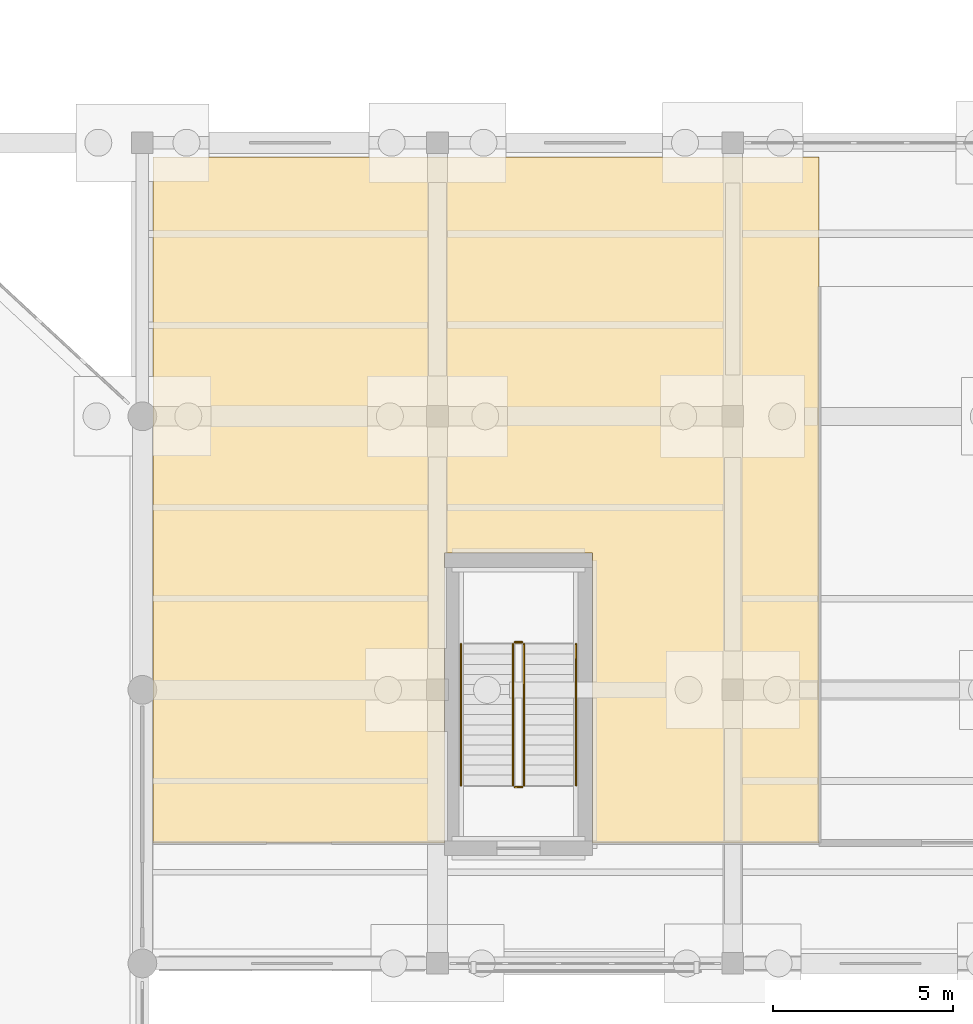
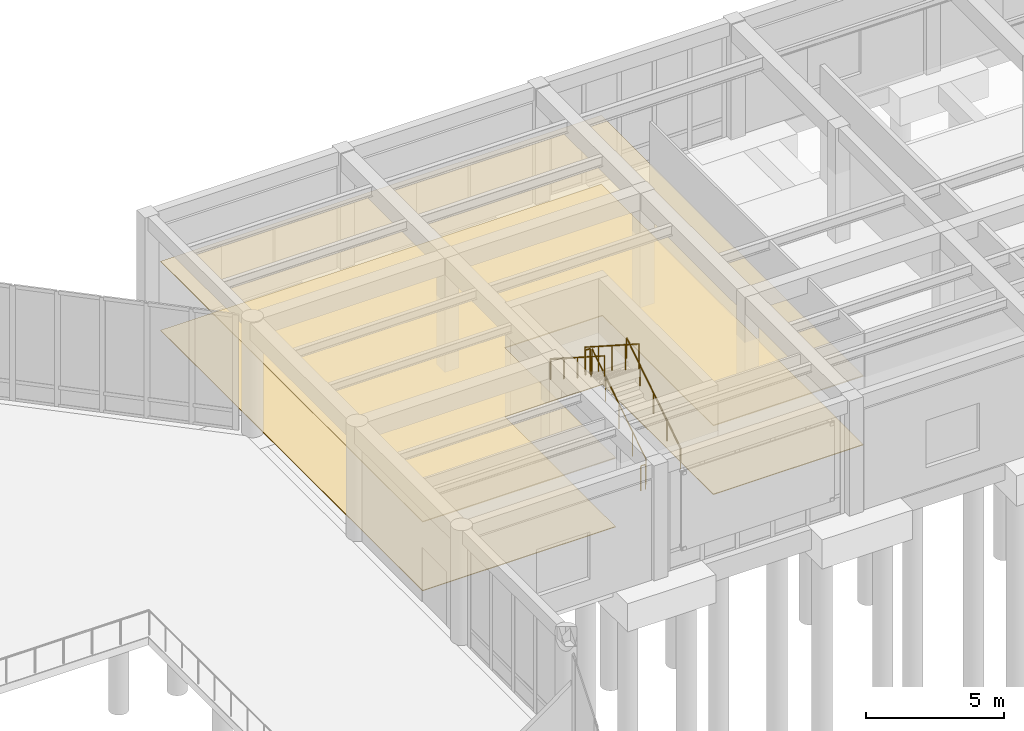
# One storey, part 58 of 64: 6 railings, 2 coverings.
"""IFC4 building model written with IfcOpenShell, lengths in metres."""

from ifc_helpers import new_model, si_unit, direction, frame, origin, origin_2d, place, context, subcontext, project, spatial, polyline, circle, outline, extrude, material, layer, layer_set, type_object, element, save


model = new_model("IFC4")

# Units and contexts
model_context = context("Model", 3, precision=1e-05, world=origin(), true_north=direction((0.0, 1.0)))
body_context = subcontext(model_context, "Body", "Model", "MODEL_VIEW")
ifc_project = project(units=[si_unit("LENGTHUNIT", "METRE"), si_unit("AREAUNIT", "SQUARE_METRE"), si_unit("VOLUMEUNIT", "CUBIC_METRE"), si_unit("PLANEANGLEUNIT", "RADIAN"), si_unit("MASSUNIT", "GRAM", prefix="KILO")], contexts=[model_context])

# Site, building, storey
site_placement = place(None, origin())
site = spatial("IfcSite", under=ifc_project, at=site_placement, CompositionType="ELEMENT")
building_placement = place(site_placement, origin())
building = spatial("IfcBuilding", under=site, at=building_placement, Name="Qandaris Square Conservatory and Botanical Centre", CompositionType="ELEMENT")
storey_placement = place(building_placement, origin())
storey = spatial("IfcBuildingStorey", under=building, at=storey_placement, Name="L00", CompositionType="ELEMENT", Elevation=0.0)

# Coverings
ifc_material_1 = material(Name="Honed Qatari Limestone", Category="masonry")
ifc_layer_1 = layer(ifc_material_1, 0.030029296875)
ifc_layer_set_1 = layer_set([ifc_layer_1], Name="Honed Qatari Limestone")
covering_type_1 = type_object("IfcCoveringType", Name="Honed Qatari Limestone Concourse Paving", PredefinedType="FLOORING", material=ifc_layer_set_1)
covering_1_placement = place(storey_placement, origin())
element("IfcCovering", 1, at=covering_1_placement, inside=storey, type_object=covering_type_1, Name="Shaded Court Botanical Cafe Flooring", PredefinedType="FLOORING", context=body_context, shape_type="SweptSolid", body=[
    extrude(outline(polyline([(57.5, 115.0), (76.0, 115.0), (76.0, 95.949951171875), (69.699951171875, 95.949951171875), (69.699951171875, 104.0), (65.60009765625, 104.0), (65.60009765625, 95.949951171875), (57.5, 95.949951171875), (57.5, 115.0)])), origin(), (0.0, 0.0, 1.0), 0.030029296875),
])
ifc_material_2 = material(Name="Engineered Oak Timber", Category="wood")
ifc_layer_2 = layer(ifc_material_2, 0.0400390625)
ifc_layer_set_2 = layer_set([ifc_layer_2], Name="Engineered Oak Timber")
covering_type_2 = type_object("IfcCoveringType", Name="Slatted Oak Acoustic Gallery Ceiling", PredefinedType="CEILING", material=ifc_layer_set_2)
covering_2_placement = place(storey_placement, frame((0.0, 0.0, 3.050048828125)))
element("IfcCovering", 2, at=covering_2_placement, inside=storey, type_object=covering_type_2, Name="Shaded Court Botanical Cafe Ceiling", PredefinedType="CEILING", context=body_context, shape_type="SweptSolid", body=[
    extrude(outline(polyline([(57.5, 115.0), (76.0, 115.0), (76.0, 95.949951171875), (69.699951171875, 95.949951171875), (69.699951171875, 104.0), (65.60009765625, 104.0), (65.60009765625, 95.949951171875), (57.5, 95.949951171875), (57.5, 115.0)])), origin(), (0.0, 0.0, 1.0), 0.0400390625),
])

# Railings
ifc_material_3 = material(Name="Stainless Steel", Category="steel")
railing_type_1 = type_object("IfcRailingType", Name="Stair Tubular Handrail 920mm", PredefinedType="HANDRAIL", material=ifc_material_3)
railing_1_placement = place(storey_placement, frame((69.25, 97.550048828125, 0.360107421875)))
element("IfcRailing", 3, at=railing_1_placement, inside=storey, type_object=railing_type_1, Name="L00 ST-6 stair handrail 1", PredefinedType="HANDRAIL", context=body_context, shape_type="SweptSolid", body=[
    extrude(circle(Radius=0.02392578125, at=origin_2d()), frame((0.0, 0.0, 0.89599609375), z_axis=(0.0, 0.84119549742, 0.540731111663), x_axis=(-1.0, 0.0, 0.0)), (0.0, 0.0, 1.0), 4.659912109375),
    extrude(circle(Radius=0.02099609375, at=origin_2d()), origin(), (0.0, 0.0, 1.0), 0.871826171875),
    extrude(circle(Radius=0.02099609375, at=origin_2d()), frame((0.0, 0.97998046875, 0.6298828125)), (0.0, 0.0, 1.0), 0.871826171875),
    extrude(circle(Radius=0.02099609375, at=origin_2d()), frame((0.0, 1.9599609375, 1.259765625)), (0.0, 0.0, 1.0), 0.871826171875),
    extrude(circle(Radius=0.02099609375, at=origin_2d()), frame((0.0, 2.93994140625, 1.889892578125)), (0.0, 0.0, 1.0), 0.871826171875),
    extrude(circle(Radius=0.02099609375, at=origin_2d()), frame((0.0, 3.919921875, 2.519775390625)), (0.0, 0.0, 1.0), 0.871826171875),
])
railing_2_placement = place(storey_placement, frame((66.050048828125, 101.469970703125, 3.06005859375)))
element("IfcRailing", 4, at=railing_2_placement, inside=storey, type_object=railing_type_1, Name="L00 ST-6 stair handrail 2", PredefinedType="HANDRAIL", context=body_context, shape_type="SweptSolid", body=[
    extrude(circle(Radius=0.02392578125, at=origin_2d()), frame((0.0, 0.0, 0.89599609375), z_axis=(0.0, -0.841171666519, 0.540768182723), x_axis=(1.0, 0.0, 0.0)), (0.0, 0.0, 1.0), 4.66015625),
    extrude(circle(Radius=0.02099609375, at=origin_2d()), origin(), (0.0, 0.0, 1.0), 0.871826171875),
    extrude(circle(Radius=0.02099609375, at=origin_2d()), frame((0.0, -0.97998046875, 0.6298828125)), (0.0, 0.0, 1.0), 0.871826171875),
    extrude(circle(Radius=0.02099609375, at=origin_2d()), frame((0.0, -1.9599609375, 1.260009765625)), (0.0, 0.0, 1.0), 0.871826171875),
    extrude(circle(Radius=0.02099609375, at=origin_2d()), frame((0.0, -2.93994140625, 1.89013671875)), (0.0, 0.0, 1.0), 0.871826171875),
    extrude(circle(Radius=0.02099609375, at=origin_2d()), frame((0.0, -3.919921875, 2.52001953125)), (0.0, 0.0, 1.0), 0.871826171875),
])
railing_type_2 = type_object("IfcRailingType", Name="Stairwell & Atrium Guardrail 1120mm", PredefinedType="GUARDRAIL", material=ifc_material_3)
railing_3_placement = place(storey_placement, frame((67.800048828125, 97.550048828125, 0.179931640625)))
element("IfcRailing", 5, at=railing_3_placement, inside=storey, type_object=railing_type_2, Name="L00 ST-6 stair guard 1", PredefinedType="GUARDRAIL", context=body_context, shape_type="SweptSolid", body=[
    extrude(circle(Radius=0.02392578125, at=origin_2d()), frame((0.0, 0.0, 1.09619140625), z_axis=(0.0, 0.841171666519, 0.540768182723), x_axis=(-1.0, 0.0, 0.0)), (0.0, 0.0, 1.0), 4.66015625),
    extrude(circle(Radius=0.02099609375, at=origin_2d()), origin(), (0.0, 0.0, 1.0), 1.072021484375),
    extrude(circle(Radius=0.02099609375, at=origin_2d()), frame((0.0, 0.97998046875, 0.6298828125)), (0.0, 0.0, 1.0), 1.072021484375),
    extrude(circle(Radius=0.02099609375, at=origin_2d()), frame((0.0, 1.9599609375, 1.260009765625)), (0.0, 0.0, 1.0), 1.072021484375),
    extrude(circle(Radius=0.02099609375, at=origin_2d()), frame((0.0, 2.93994140625, 1.89013671875)), (0.0, 0.0, 1.0), 1.072021484375),
    extrude(circle(Radius=0.02099609375, at=origin_2d()), frame((0.0, 3.919921875, 2.52001953125)), (0.0, 0.0, 1.0), 1.072021484375),
])
railing_4_placement = place(storey_placement, frame((67.75, 101.52001953125, 2.699951171875)))
element("IfcRailing", 6, at=railing_4_placement, inside=storey, type_object=railing_type_2, Name="L00 ST-6 stair guard 2", PredefinedType="GUARDRAIL", context=body_context, shape_type="SweptSolid", body=[
    extrude(circle(Radius=0.02392578125, at=origin_2d()), frame((0.0, 0.0, 1.09619140625), z_axis=(-1.0, 0.0, 0.0), x_axis=(0.0, -1.0, 0.0)), (0.0, 0.0, 1.0), 0.199951171875),
    extrude(circle(Radius=0.02099609375, at=origin_2d()), origin(), (0.0, 0.0, 1.0), 1.072021484375),
    extrude(circle(Radius=0.02099609375, at=origin_2d()), frame((-0.199951171875, 0.0, 0.0)), (0.0, 0.0, 1.0), 1.072021484375),
])
railing_5_placement = place(storey_placement, frame((67.5, 101.469970703125, 2.8798828125)))
element("IfcRailing", 7, at=railing_5_placement, inside=storey, type_object=railing_type_2, Name="L00 ST-6 stair guard 3", PredefinedType="GUARDRAIL", context=body_context, shape_type="SweptSolid", body=[
    extrude(circle(Radius=0.02392578125, at=origin_2d()), frame((0.0, 0.0, 1.09619140625), z_axis=(0.0, -0.841171666519, 0.540768182723), x_axis=(1.0, 0.0, 0.0)), (0.0, 0.0, 1.0), 4.66015625),
    extrude(circle(Radius=0.02099609375, at=origin_2d()), origin(), (0.0, 0.0, 1.0), 1.072021484375),
    extrude(circle(Radius=0.02099609375, at=origin_2d()), frame((0.0, -0.97998046875, 0.6298828125)), (0.0, 0.0, 1.0), 1.072021484375),
    extrude(circle(Radius=0.02099609375, at=origin_2d()), frame((0.0, -1.9599609375, 1.260009765625)), (0.0, 0.0, 1.0), 1.072021484375),
    extrude(circle(Radius=0.02099609375, at=origin_2d()), frame((0.0, -2.93994140625, 1.89013671875)), (0.0, 0.0, 1.0), 1.072021484375),
    extrude(circle(Radius=0.02099609375, at=origin_2d()), frame((0.0, -3.919921875, 2.52001953125)), (0.0, 0.0, 1.0), 1.072021484375),
])
railing_6_placement = place(storey_placement, frame((67.75, 97.5, 0.0)))
element("IfcRailing", 8, at=railing_6_placement, inside=storey, type_object=railing_type_2, Name="L00 ST-6 stair guard 4", PredefinedType="GUARDRAIL", context=body_context, shape_type="SweptSolid", body=[
    extrude(circle(Radius=0.02392578125, at=origin_2d()), frame((0.0, 0.0, 1.09619140625), z_axis=(-1.0, 0.0, 0.0), x_axis=(0.0, -1.0, 0.0)), (0.0, 0.0, 1.0), 0.199951171875),
    extrude(circle(Radius=0.02099609375, at=origin_2d()), origin(), (0.0, 0.0, 1.0), 1.072021484375),
    extrude(circle(Radius=0.02099609375, at=origin_2d()), frame((-0.199951171875, 0.0, 0.0)), (0.0, 0.0, 1.0), 1.072021484375),
])

save(model, "model.ifc")
